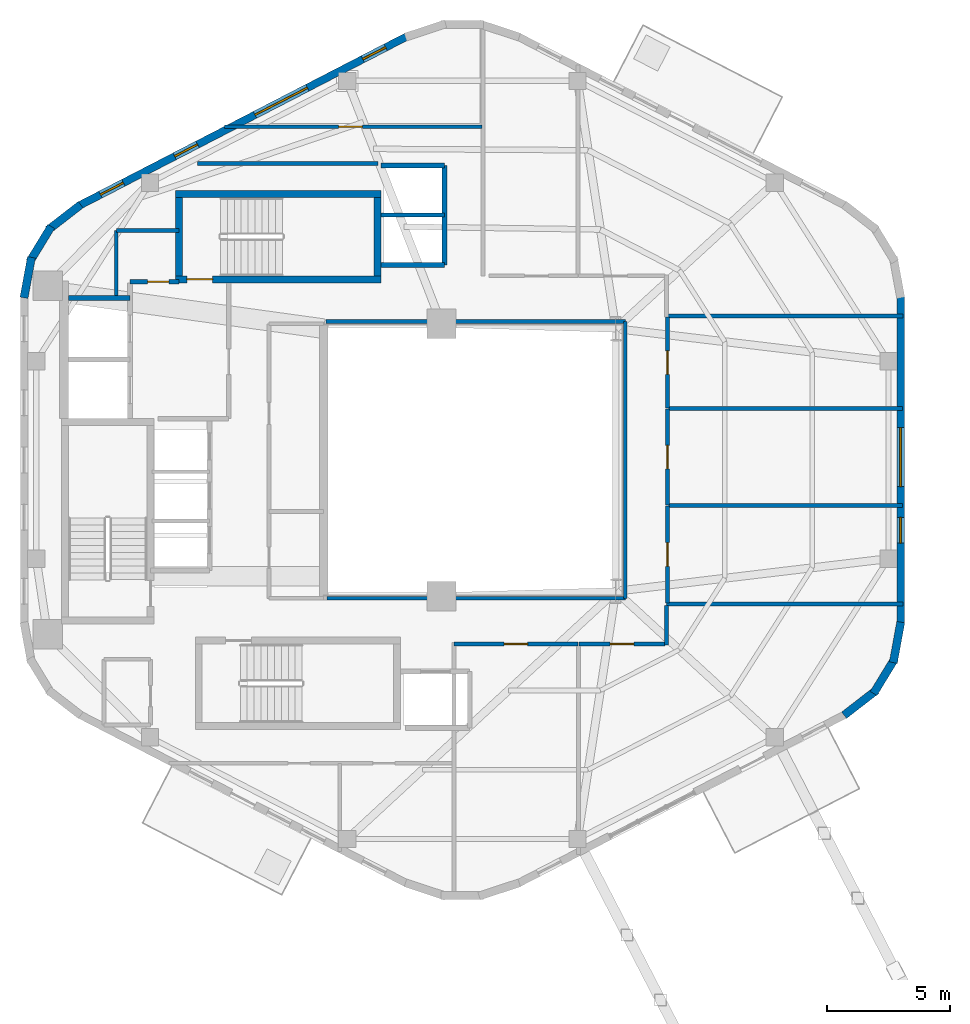
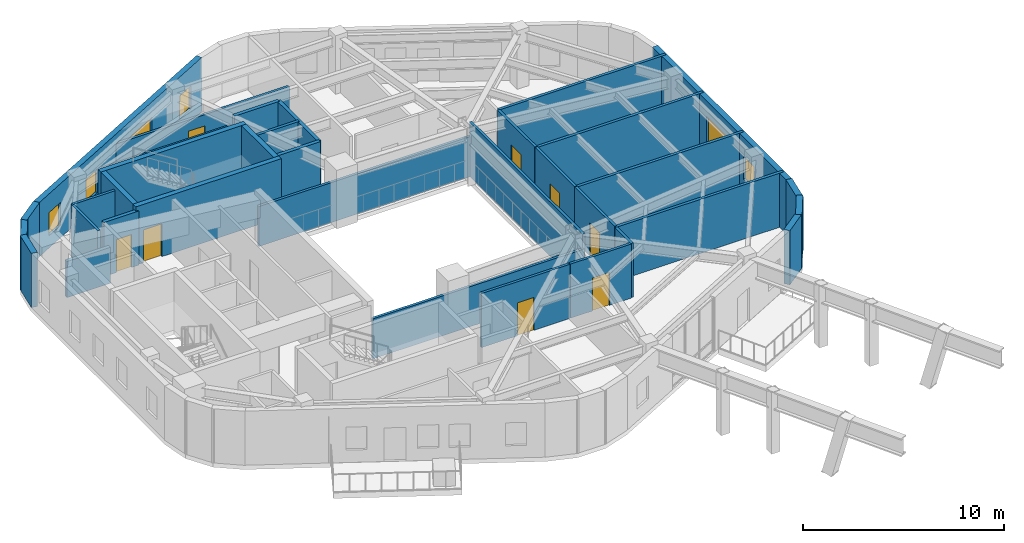
# One storey, part 7 of 10: 35 walls, 8 doors, 6 windows, 14 openings.
"""IFC4 building model written with IfcOpenShell, lengths in metres."""

import ifcopenshell
import ifcopenshell.guid

model = None  # the IFC model being written
_history = None  # IfcOwnerHistory: only IFC2X3 demands one
_inside = {}  # id of a spatial element -> (the spatial element, [elements in it])
_under = {}  # id of a project, library or spatial element -> (it, [spatial elements below it])
_declared = {}  # id of a project -> (the project, [libraries it declares])
_typed = {}  # id of a type object -> (the type object, [elements of that type])
_made_of = {}  # id of a material, layer set ... -> (it, [elements and type objects made of it])


def new_model(schema):
    """Start an empty IFC model of exactly this schema.

    Asked for "IFC4X3", IfcOpenShell would pick the latest addendum, in which some entities
    have other attributes; the version numbers below select the first issue.
    IFC2X3 requires an IfcOwnerHistory on every rooted entity: one is made here for all.
    """
    global model, _history
    if schema == "IFC4X3":
        model = ifcopenshell.file(schema_version=(4, 3, 0, 0))
    else:
        model = ifcopenshell.file(schema=schema)
    _inside.clear()
    _under.clear()
    _declared.clear()
    _typed.clear()
    _made_of.clear()
    _history = None
    if model.schema == "IFC2X3":
        org = make("IfcOrganization", Name="unknown")
        user = make(
            "IfcPersonAndOrganization",
            ThePerson=make("IfcPerson", FamilyName="unknown"),
            TheOrganization=org,
        )
        app = make(
            "IfcApplication",
            ApplicationDeveloper=org,
            Version="unknown",
            ApplicationFullName="unknown",
            ApplicationIdentifier="unknown",
        )
        _history = make(
            "IfcOwnerHistory",
            OwningUser=user,
            OwningApplication=app,
            ChangeAction="ADDED",
            CreationDate=0,
        )
    return model


def make(cls, **values):
    """One entity of the class cls with the attributes given. An attribute that is None is left unset."""
    return model.create_entity(
        cls, **{name: value for name, value in values.items() if value is not None}
    )


def rooted(cls, **values):
    """An entity with a GlobalId (a new one), such as an element, a storey or a relation."""
    return make(cls, GlobalId=ifcopenshell.guid.new(), OwnerHistory=_history, **values)


def si_unit(unit_type, name, prefix=None):
    """IfcSIUnit, for example si_unit("LENGTHUNIT", "METRE", prefix="MILLI")."""
    return make("IfcSIUnit", UnitType=unit_type, Prefix=prefix, Name=name)


def assignment(units):
    """IfcUnitAssignment: the units of a project."""
    return None if units is None else make("IfcUnitAssignment", Units=units)


def point(xyz):
    """IfcCartesianPoint."""
    return None if xyz is None else make("IfcCartesianPoint", Coordinates=xyz)


def direction(xyz):
    """IfcDirection."""
    return None if xyz is None else make("IfcDirection", DirectionRatios=xyz)


def frame(location, z_axis=None, x_axis=None):
    """IfcAxis2Placement3D, a coordinate frame: its origin and axes. An axis left out is left unset."""
    return make(
        "IfcAxis2Placement3D",
        Location=point(location),
        Axis=direction(z_axis),
        RefDirection=direction(x_axis),
    )


def frame_2d(location, x_axis=None):
    """IfcAxis2Placement2D, a coordinate frame in the plane: its origin and x axis."""
    return make(
        "IfcAxis2Placement2D", Location=point(location), RefDirection=direction(x_axis)
    )


def origin():
    """The frame at (0, 0, 0) with its axes left unset."""
    return frame((0.0, 0.0, 0.0))


def place(relative_to, where):
    """IfcLocalPlacement: puts the frame where relative to a parent placement (None: the world)."""
    return make(
        "IfcLocalPlacement", PlacementRelTo=relative_to, RelativePlacement=where
    )


def context(
    kind, dimensions, precision=None, world=None, true_north=None, identifier=None
):
    """IfcGeometricRepresentationContext, for example the 3D "Model" context."""
    return make(
        "IfcGeometricRepresentationContext",
        ContextIdentifier=identifier,
        ContextType=kind,
        CoordinateSpaceDimension=dimensions,
        Precision=precision,
        WorldCoordinateSystem=world,
        TrueNorth=true_north,
    )


def subcontext(parent, identifier, kind, view, scale=None):
    """IfcGeometricRepresentationSubContext, for example "Body" below "Model"."""
    return make(
        "IfcGeometricRepresentationSubContext",
        ContextIdentifier=identifier,
        ContextType=kind,
        ParentContext=parent,
        TargetScale=scale,
        TargetView=view,
    )


def project(units=None, contexts=None):
    """IfcProject with its units and contexts."""
    return rooted(
        "IfcProject",
        Name="project",
        RepresentationContexts=contexts,
        UnitsInContext=assignment(units),
    )


def spatial(cls, under=None, at=None, **own):
    """A site, building, storey or space (cls), placed at a placement, below another one or the project."""
    s = rooted(cls, ObjectPlacement=at, **own)
    if under is not None:
        _under.setdefault(under.id(), (under, []))[1].append(s)
    return s


def profile(cls, at=None, kind="AREA", **sizes):
    """A parametric profile (cls). Its sizes go by their IFC names, for example OverallWidth=200.0."""
    return make(cls, ProfileType=kind, Position=at, **sizes)


def rectangle(**sizes):
    """IfcRectangleProfileDef."""
    return profile("IfcRectangleProfileDef", **sizes)


def extrude(swept, where, along, depth):
    """IfcExtrudedAreaSolid: the profile swept, set in the frame where, extruded along a direction by depth."""
    return make(
        "IfcExtrudedAreaSolid",
        SweptArea=swept,
        Position=where,
        ExtrudedDirection=direction(along),
        Depth=depth,
    )


def shape(context_of_items, identifier, shape_type, items):
    """IfcShapeRepresentation: the items that make up one representation, for example the "Body"."""
    return make(
        "IfcShapeRepresentation",
        ContextOfItems=context_of_items,
        RepresentationIdentifier=identifier,
        RepresentationType=shape_type,
        Items=items,
    )


def material(Name=None, Category=None):
    """IfcMaterial."""
    return make("IfcMaterial", Name=Name, Category=Category)


def layer(
    of_material, thickness, ventilated=None, Name=None, Category=None, Priority=None
):
    """IfcMaterialLayer: one layer of a wall or slab, of a material (None: an air gap)."""
    return make(
        "IfcMaterialLayer",
        Material=of_material,
        LayerThickness=thickness,
        IsVentilated=ventilated,
        Name=Name,
        Category=Category,
        Priority=Priority,
    )


def layer_set(layers, Name=None):
    """IfcMaterialLayerSet."""
    return make("IfcMaterialLayerSet", MaterialLayers=layers, LayerSetName=Name)


def made_of(thing, what):
    """Note that an element or type object is made of a material, layer set ...; save() writes the relation."""
    if what is not None:
        _made_of.setdefault(what.id(), (what, []))[1].append(thing)
    return thing


def type_object(cls, material=None, **own):
    """A type object (cls), such as IfcWallType, which elements share."""
    return made_of(rooted(cls, **own), material)


def element(
    cls,
    number,
    at=None,
    inside=None,
    cuts=None,
    type_object=None,
    material=None,
    context=None,
    identifier="Body",
    shape_type=None,
    held_by="IfcProductDefinitionShape",
    body=None,
    shapes=None,
    **own,
):
    """One element of the class cls, such as IfcWall. Its Tag is "e" and its number.

    at: its placement. inside: the storey or other place that contains it. cuts: it is an
    opening in that element (IfcRelVoidsElement). A single representation is given by context,
    identifier, shape_type and body (its items); several are given by shapes. held_by: the class
    of the entity that holds the representations. save() writes the other relations.
    """
    e = rooted(cls, Tag="e%d" % number, ObjectPlacement=at, **own)
    if body is not None:
        shapes = [shape(context, identifier, shape_type, body)]
    if shapes is not None:
        e.Representation = make(held_by, Representations=shapes)
    if inside is not None:
        _inside.setdefault(inside.id(), (inside, []))[1].append(e)
    if cuts is not None:
        rooted(
            "IfcRelVoidsElement", RelatingBuildingElement=cuts, RelatedOpeningElement=e
        )
    if type_object is not None:
        _typed.setdefault(type_object.id(), (type_object, []))[1].append(e)
    return made_of(e, material)


def fill(opening, filler):
    """IfcRelFillsElement: the door or window that sits in an opening."""
    return rooted(
        "IfcRelFillsElement",
        RelatingOpeningElement=opening,
        RelatedBuildingElement=filler,
    )


def aggregate(whole, parts):
    """IfcRelAggregates: a whole, such as a stair, and the parts it consists of."""
    return rooted("IfcRelAggregates", RelatingObject=whole, RelatedObjects=parts)


def save(model, path):
    """Write the relations noted so far, then the file.

    IfcRelAggregates (storeys below a building ...), IfcRelContainedInSpatialStructure (elements
    in a storey), IfcRelDefinesByType, IfcRelAssociatesMaterial and IfcRelDeclares: one each for
    every whole, place, type object, material and project.
    """
    for whole, parts in _under.values():
        aggregate(whole, parts)
    for where, things in _inside.values():
        rooted(
            "IfcRelContainedInSpatialStructure",
            RelatedElements=things,
            RelatingStructure=where,
        )
    for kind, things in _typed.values():
        rooted("IfcRelDefinesByType", RelatedObjects=things, RelatingType=kind)
    for what, things in _made_of.values():
        rooted("IfcRelAssociatesMaterial", RelatedObjects=things, RelatingMaterial=what)
    for by, libraries in _declared.values():
        rooted("IfcRelDeclares", RelatingContext=by, RelatedDefinitions=libraries)
    model.write(path)


model = new_model("IFC4")

# Units and contexts
model_context = context("Model", 3, precision=1e-05, world=origin(), true_north=direction((0.0, 1.0)))
body_context = subcontext(model_context, "Body", "Model", "MODEL_VIEW")
ifc_project = project(units=[si_unit("LENGTHUNIT", "METRE"), si_unit("AREAUNIT", "SQUARE_METRE"), si_unit("VOLUMEUNIT", "CUBIC_METRE"), si_unit("PLANEANGLEUNIT", "RADIAN"), si_unit("MASSUNIT", "GRAM", prefix="KILO"), si_unit("THERMODYNAMICTEMPERATUREUNIT", "KELVIN"), si_unit("POWERUNIT", "WATT")], contexts=[model_context])

# Site, building, storey
site_placement = place(None, origin())
site = spatial("IfcSite", under=ifc_project, at=site_placement, CompositionType="ELEMENT")
building_placement = place(site_placement, origin())
building = spatial("IfcBuilding", under=site, at=building_placement, Name="Skarre Station Tower", CompositionType="ELEMENT")
storey_placement = place(building_placement, frame((0.0, 0.0, 227.699951171875)))
storey = spatial("IfcBuildingStorey", under=building, at=storey_placement, Name="L62", CompositionType="ELEMENT", Elevation=227.699951171875)

# Walls
ifc_material_1 = material(Name="Acoustic Steel-Stud Gypsum Partition", Category="steel")
ifc_layer_1 = layer(ifc_material_1, 0.14990234375, Name="Acoustic Steel-Stud Gypsum Partition")
ifc_layer_set_1 = layer_set([ifc_layer_1], Name="Acoustic Steel-Stud Gypsum Partition")
wall_type_1 = type_object("IfcWallType", Name="Fire-Rated Corridor Acoustic Partition 150", PredefinedType="PARTITIONING", material=ifc_layer_set_1)
wall_1_placement = place(storey_placement, frame((19.10009765625, 33.35009765625, 0.0), z_axis=(0.0, 0.0, 1.0), x_axis=(0.0, -1.0, 0.0)))
element("IfcWall", 1, at=wall_1_placement, inside=storey, type_object=wall_type_1, Name="L62 Interior Partition WL-PT-L62-CNW-W", PredefinedType="PARTITIONING", context=body_context, shape_type="SweptSolid", body=[
    extrude(rectangle(XDim=2.655029296875, YDim=0.14990234375, at=frame_2d((1.32763671875, 0.0))), origin(), (0.0, 0.0, 1.0), 3.2900390625),
])
wall_2_placement = place(storey_placement, frame((21.659912109375, 33.35009765625, 0.0), z_axis=(0.0, 0.0, 1.0), x_axis=(-1.0, 0.0, 0.0)))
element("IfcWall", 2, at=wall_2_placement, inside=storey, type_object=wall_type_1, Name="L62 Interior Partition WL-PT-L62-CNW-N1", PredefinedType="PARTITIONING", context=body_context, shape_type="SweptSolid", body=[
    extrude(rectangle(XDim=2.559814453125, YDim=0.14990234375, at=frame_2d((1.27978515625, 0.0))), origin(), (0.0, 0.0, 1.0), 3.2900390625),
])
wall_3_placement = place(storey_placement, frame((27.675048828125, 18.360107421875, 0.0), z_axis=(0.0, 0.0, 1.0), x_axis=(1.0, 0.0, 0.0)))
element("IfcWall", 3, at=wall_3_placement, inside=storey, type_object=wall_type_1, Name="L62 Interior Partition WL-PT-L62-ATRW-S", PredefinedType="PARTITIONING", context=body_context, shape_type="SweptSolid", body=[
    extrude(rectangle(XDim=12.1650390625, YDim=0.14990234375, at=frame_2d((6.08251953125, 0.0))), origin(), (0.0, 0.0, 1.0), 2.43115234375),
])
wall_4_placement = place(storey_placement, frame((39.840087890625, 29.639892578125, 0.0), z_axis=(0.0, 0.0, 1.0), x_axis=(-1.0, 0.0, 0.0)))
element("IfcWall", 4, at=wall_4_placement, inside=storey, type_object=wall_type_1, Name="L62 Interior Partition WL-PT-L62-ATRW-N", PredefinedType="PARTITIONING", context=body_context, shape_type="SweptSolid", body=[
    extrude(rectangle(XDim=12.203125, YDim=0.14990234375, at=frame_2d((6.1015625, 0.0))), origin(), (0.0, 0.0, 1.0), 2.43115234375),
])
wall_5_placement = place(storey_placement, frame((39.840087890625, 18.360107421875, 0.0), z_axis=(0.0, 0.0, 1.0), x_axis=(0.0, 1.0, 0.0)))
element("IfcWall", 5, at=wall_5_placement, inside=storey, type_object=wall_type_1, Name="L62 Interior Partition WL-PT-L62-ATRW-E", PredefinedType="PARTITIONING", context=body_context, shape_type="SweptSolid", body=[
    extrude(rectangle(XDim=11.27978515625, YDim=0.14990234375, at=frame_2d((5.639892578125, 0.0))), origin(), (0.0, 0.0, 1.0), 3.2900390625),
])

# Wall, opening, door
wall_6_placement = place(storey_placement, frame((34.0, 37.580078125, 0.0), z_axis=(0.0, 0.0, 1.0), x_axis=(-1.0, 0.0, 0.0)))
wall_6 = element("IfcWall", 6, at=wall_6_placement, inside=storey, type_object=wall_type_1, Name="L62 Interior Partition WL-PT-L62-NWW1-CW", PredefinedType="PARTITIONING", context=body_context, shape_type="SweptSolid", body=[
    extrude(rectangle(XDim=10.5009765625, YDim=0.14990234375, at=frame_2d((5.25048828125, 0.0))), origin(), (0.0, 0.0, 1.0), 2.68212890625),
])
opening_1_placement = place(wall_6_placement, frame((4.87890625, 0.0, 0.0)))
opening_1 = element("IfcOpeningElement", 7, at=opening_1_placement, cuts=wall_6, Name="Opening DR-FD60", PredefinedType="OPENING", context=body_context, shape_type="SweptSolid", body=[
    extrude(rectangle(XDim=0.9599609375, YDim=2.0, at=frame_2d((0.47998046875, 1.0))), frame((0.0, 0.0849609375, 0.0), z_axis=(0.0, -1.0, 0.0), x_axis=(1.0, 0.0, 0.0)), (0.0, 0.0, 1.0), 0.169921875),
])
ifc_material_2 = material(Name="Nordic White-Oak Veneer Solid-Core Fire Leaf", Category="wood")
door_type_1 = type_object("IfcDoorType", Name="Corridor Suite Entry Fire Door FD60 960x2150", OperationType="SINGLE_SWING_LEFT", PredefinedType="DOOR", material=ifc_material_2)
door_1_placement = place(opening_1_placement, origin())
door_1 = element("IfcDoor", 8, at=door_1_placement, inside=storey, type_object=door_type_1, Name="L62 NWW1 Entry Door", OperationType="SINGLE_SWING_LEFT", OverallHeight=2.0, OverallWidth=0.9599609375, PredefinedType="DOOR", context=body_context, shape_type="SweptSolid", body=[
    extrude(rectangle(XDim=0.9599609375, YDim=2.0, at=frame_2d((0.47998046875, 1.0))), frame((0.0, 0.02490234375, 0.0), z_axis=(0.0, -1.0, 0.0), x_axis=(1.0, 0.0, 0.0)), (0.0, 0.0, 1.0), 0.050048828125),
])
fill(opening_1, door_1)

wall_7_placement = place(storey_placement, frame((41.56005859375, 18.179931640625, 0.0), z_axis=(0.0, 0.0, 1.0), x_axis=(0.0, 1.0, 0.0)))
wall_7 = element("IfcWall", 9, at=wall_7_placement, inside=storey, type_object=wall_type_1, Name="L62 Interior Partition WL-PT-L62-EW1-CW", PredefinedType="PARTITIONING", context=body_context, shape_type="SweptSolid", body=[
    extrude(rectangle(XDim=3.940185546875, YDim=0.14990234375, at=frame_2d((1.97021484375, 0.0))), origin(), (0.0, 0.0, 1.0), 3.2900390625),
])
opening_2_placement = place(wall_7_placement, frame((1.489990234375, 0.0, 0.0)))
opening_2 = element("IfcOpeningElement", 10, at=opening_2_placement, cuts=wall_7, Name="Opening DR-FD60", PredefinedType="OPENING", context=body_context, shape_type="SweptSolid", body=[
    extrude(rectangle(XDim=0.9599609375, YDim=2.0, at=frame_2d((0.47998046875, 1.0))), frame((0.0, 0.0849609375, 0.0), z_axis=(0.0, -1.0, 0.0), x_axis=(1.0, 0.0, 0.0)), (0.0, 0.0, 1.0), 0.169921875),
])
door_2_placement = place(opening_2_placement, origin())
door_2 = element("IfcDoor", 11, at=door_2_placement, inside=storey, type_object=door_type_1, Name="L62 EW1 Entry Door", OperationType="SINGLE_SWING_LEFT", OverallHeight=2.0, OverallWidth=0.9599609375, PredefinedType="DOOR", context=body_context, shape_type="SweptSolid", body=[
    extrude(rectangle(XDim=0.9599609375, YDim=2.0, at=frame_2d((0.47998046875, 1.0))), frame((0.0, 0.02490234375, 0.0), z_axis=(0.0, -1.0, 0.0), x_axis=(1.0, 0.0, 0.0)), (0.0, 0.0, 1.0), 0.050048828125),
])
fill(opening_2, door_2)

wall_8_placement = place(storey_placement, frame((41.56005859375, 22.156005859375, 0.0), z_axis=(0.0, 0.0, 1.0), x_axis=(0.0, 1.0, 0.0)))
wall_8 = element("IfcWall", 12, at=wall_8_placement, inside=storey, type_object=wall_type_1, Name="L62 Interior Partition WL-PT-L62-EW2-CW", PredefinedType="PARTITIONING", context=body_context, shape_type="SweptSolid", body=[
    extrude(rectangle(XDim=3.9208984375, YDim=0.14990234375, at=frame_2d((1.96044921875, 0.0))), origin(), (0.0, 0.0, 1.0), 3.2900390625),
])
opening_3_placement = place(wall_8_placement, frame((1.48095703125, 0.0, 0.0)))
opening_3 = element("IfcOpeningElement", 13, at=opening_3_placement, cuts=wall_8, Name="Opening DR-FD60", PredefinedType="OPENING", context=body_context, shape_type="SweptSolid", body=[
    extrude(rectangle(XDim=0.9599609375, YDim=2.0, at=frame_2d((0.47998046875, 1.0))), frame((0.0, 0.0849609375, 0.0), z_axis=(0.0, -1.0, 0.0), x_axis=(1.0, 0.0, 0.0)), (0.0, 0.0, 1.0), 0.169921875),
])
door_3_placement = place(opening_3_placement, origin())
door_3 = element("IfcDoor", 14, at=door_3_placement, inside=storey, type_object=door_type_1, Name="L62 EW2 Entry Door", OperationType="SINGLE_SWING_LEFT", OverallHeight=2.0, OverallWidth=0.9599609375, PredefinedType="DOOR", context=body_context, shape_type="SweptSolid", body=[
    extrude(rectangle(XDim=0.9599609375, YDim=2.0, at=frame_2d((0.47998046875, 1.0))), frame((0.0, 0.02490234375, 0.0), z_axis=(0.0, -1.0, 0.0), x_axis=(1.0, 0.0, 0.0)), (0.0, 0.0, 1.0), 0.050048828125),
])
fill(opening_3, door_3)

wall_9_placement = place(storey_placement, frame((41.56005859375, 26.113037109375, 0.0), z_axis=(0.0, 0.0, 1.0), x_axis=(0.0, 1.0, 0.0)))
wall_9 = element("IfcWall", 15, at=wall_9_placement, inside=storey, type_object=wall_type_1, Name="L62 Interior Partition WL-PT-L62-EW3-CW", PredefinedType="PARTITIONING", context=body_context, shape_type="SweptSolid", body=[
    extrude(rectangle(XDim=3.70703125, YDim=0.14990234375, at=frame_2d((1.853515625, 0.0))), origin(), (0.0, 0.0, 1.0), 3.2900390625),
])
opening_4_placement = place(wall_9_placement, frame((1.3740234375, 0.0, 0.0)))
opening_4 = element("IfcOpeningElement", 16, at=opening_4_placement, cuts=wall_9, Name="Opening DR-FD60", PredefinedType="OPENING", context=body_context, shape_type="SweptSolid", body=[
    extrude(rectangle(XDim=0.9599609375, YDim=2.0, at=frame_2d((0.47998046875, 1.0))), frame((0.0, 0.0849609375, 0.0), z_axis=(0.0, -1.0, 0.0), x_axis=(1.0, 0.0, 0.0)), (0.0, 0.0, 1.0), 0.169921875),
])
door_4_placement = place(opening_4_placement, origin())
door_4 = element("IfcDoor", 17, at=door_4_placement, inside=storey, type_object=door_type_1, Name="L62 EW3 Entry Door", OperationType="SINGLE_SWING_LEFT", OverallHeight=2.0, OverallWidth=0.9599609375, PredefinedType="DOOR", context=body_context, shape_type="SweptSolid", body=[
    extrude(rectangle(XDim=0.9599609375, YDim=2.0, at=frame_2d((0.47998046875, 1.0))), frame((0.0, 0.02490234375, 0.0), z_axis=(0.0, -1.0, 0.0), x_axis=(1.0, 0.0, 0.0)), (0.0, 0.0, 1.0), 0.050048828125),
])
fill(opening_4, door_4)

# Wall
wall_10_placement = place(storey_placement, frame((41.52001953125, 16.4599609375, 0.0), z_axis=(0.0, 0.0, 1.0), x_axis=(0.0, 1.0, 0.0)))
element("IfcWall", 18, at=wall_10_placement, inside=storey, type_object=wall_type_1, Name="L62 Interior Partition WL-PT-L62-CORR-SER", PredefinedType="PARTITIONING", context=body_context, shape_type="SweptSolid", body=[
    extrude(rectangle(XDim=1.60205078125, YDim=0.14990234375, at=frame_2d((0.801025390625, 0.0))), origin(), (0.0, 0.0, 1.0), 3.2900390625),
])

# Wall, opening, door
wall_11_placement = place(storey_placement, frame((32.85009765625, 16.5, 0.0), z_axis=(0.0, 0.0, 1.0), x_axis=(1.0, 0.0, 0.0)))
wall_11 = element("IfcWall", 19, at=wall_11_placement, inside=storey, type_object=wall_type_1, Name="L62 Interior Partition WL-PT-L62-SW1-CW", PredefinedType="PARTITIONING", context=body_context, shape_type="SweptSolid", body=[
    extrude(rectangle(XDim=5.060791015625, YDim=0.14990234375, at=frame_2d((2.5302734375, 0.0))), origin(), (0.0, 0.0, 1.0), 3.2900390625),
])
opening_5_placement = place(wall_11_placement, frame((2.051025390625, 0.0, 0.0)))
opening_5 = element("IfcOpeningElement", 20, at=opening_5_placement, cuts=wall_11, Name="Opening DR-FD60", PredefinedType="OPENING", context=body_context, shape_type="SweptSolid", body=[
    extrude(rectangle(XDim=0.9599609375, YDim=2.0, at=frame_2d((0.47998046875, 1.0))), frame((0.0, 0.0849609375, 0.0), z_axis=(0.0, -1.0, 0.0), x_axis=(1.0, 0.0, 0.0)), (0.0, 0.0, 1.0), 0.169921875),
])
door_5_placement = place(opening_5_placement, origin())
door_5 = element("IfcDoor", 21, at=door_5_placement, inside=storey, type_object=door_type_1, Name="L62 SW1 Entry Door", OperationType="SINGLE_SWING_LEFT", OverallHeight=2.0, OverallWidth=0.9599609375, PredefinedType="DOOR", context=body_context, shape_type="SweptSolid", body=[
    extrude(rectangle(XDim=0.9599609375, YDim=2.0, at=frame_2d((0.47998046875, 1.0))), frame((0.0, 0.02490234375, 0.0), z_axis=(0.0, -1.0, 0.0), x_axis=(1.0, 0.0, 0.0)), (0.0, 0.0, 1.0), 0.050048828125),
])
fill(opening_5, door_5)

wall_12_placement = place(storey_placement, frame((37.947021484375, 16.5, 0.0), z_axis=(0.0, 0.0, 1.0), x_axis=(1.0, 0.0, 0.0)))
wall_12 = element("IfcWall", 22, at=wall_12_placement, inside=storey, type_object=wall_type_1, Name="L62 Interior Partition WL-PT-L62-SW2-CW", PredefinedType="PARTITIONING", context=body_context, shape_type="SweptSolid", body=[
    extrude(rectangle(XDim=3.512939453125, YDim=0.14990234375, at=frame_2d((1.75634765625, 0.0))), origin(), (0.0, 0.0, 1.0), 3.2900390625),
])
opening_6_placement = place(wall_12_placement, frame((1.277099609375, 0.0, 0.0)))
opening_6 = element("IfcOpeningElement", 23, at=opening_6_placement, cuts=wall_12, Name="Opening DR-FD60", PredefinedType="OPENING", context=body_context, shape_type="SweptSolid", body=[
    extrude(rectangle(XDim=0.9599609375, YDim=2.0, at=frame_2d((0.47998046875, 1.0))), frame((0.0, 0.0849609375, 0.0), z_axis=(0.0, -1.0, 0.0), x_axis=(1.0, 0.0, 0.0)), (0.0, 0.0, 1.0), 0.169921875),
])
door_6_placement = place(opening_6_placement, origin())
door_6 = element("IfcDoor", 24, at=door_6_placement, inside=storey, type_object=door_type_1, Name="L62 SW2 Entry Door", OperationType="SINGLE_SWING_LEFT", OverallHeight=2.0, OverallWidth=0.9599609375, PredefinedType="DOOR", context=body_context, shape_type="SweptSolid", body=[
    extrude(rectangle(XDim=0.9599609375, YDim=2.0, at=frame_2d((0.47998046875, 1.0))), frame((0.0, 0.02490234375, 0.0), z_axis=(0.0, -1.0, 0.0), x_axis=(1.0, 0.0, 0.0)), (0.0, 0.0, 1.0), 0.050048828125),
])
fill(opening_6, door_6)

# Walls
wall_13_placement = place(storey_placement, frame((29.7529296875, 36.080078125, 0.0), z_axis=(0.0, 0.0, 1.0), x_axis=(-1.0, 0.0, 0.0)))
element("IfcWall", 25, at=wall_13_placement, inside=storey, type_object=wall_type_1, Name="L62 Interior Partition WL-PT-L62-CSEAL-1", PredefinedType="PARTITIONING", context=body_context, shape_type="SweptSolid", body=[
    extrude(rectangle(XDim=7.35302734375, YDim=0.14990234375, at=frame_2d((3.676513671875, 0.0))), origin(), (0.0, 0.0, 1.0), 2.68212890625),
])
ifc_material_3 = material(Name="Precast concrete C45/55", Category="concrete")
ifc_layer_2 = layer(ifc_material_3, 0.330078125, Name="Precast concrete C45/55")
ifc_layer_set_2 = layer_set([ifc_layer_2], Name="Precast concrete C45/55")
wall_type_2 = type_object("IfcWallType", Name="Nordic Rounded Corner Precast Wall 330", PredefinedType="STANDARD", material=ifc_layer_set_2)
wall_14_placement = place(storey_placement, frame((15.337890625, 30.60791015625, 0.0), z_axis=(0.0, 0.0, 1.0), x_axis=(0.180832605401, 0.983513888475, 0.0)))
element("IfcWall", 26, at=wall_14_placement, inside=storey, type_object=wall_type_2, Name="L62 Rounded Corner Precast Wall F2-1", PredefinedType="STANDARD", context=body_context, shape_type="SweptSolid", body=[
    extrude(rectangle(XDim=1.6767578125, YDim=0.330078125, at=frame_2d((0.83837890625, 0.0))), origin(), (0.0, 0.0, 1.0), 3.2900390625),
])
wall_15_placement = place(storey_placement, frame((15.573974609375, 32.08203125, 0.0), z_axis=(0.0, 0.0, 1.0), x_axis=(0.520325409202, 0.853968072318, 0.0)))
element("IfcWall", 27, at=wall_15_placement, inside=storey, type_object=wall_type_2, Name="L62 Rounded Corner Precast Wall F2-2", PredefinedType="STANDARD", context=body_context, shape_type="SweptSolid", body=[
    extrude(rectangle(XDim=1.677978515625, YDim=0.330078125, at=frame_2d((0.8388671875, 0.0))), origin(), (0.0, 0.0, 1.0), 3.2900390625),
])
wall_16_placement = place(storey_placement, frame((16.322021484375, 33.375, 0.0), z_axis=(0.0, 0.0, 1.0), x_axis=(0.790691856293, 0.61221433207, 0.0)))
element("IfcWall", 28, at=wall_16_placement, inside=storey, type_object=wall_type_2, Name="L62 Rounded Corner Precast Wall F2-3", PredefinedType="STANDARD", context=body_context, shape_type="SweptSolid", body=[
    extrude(rectangle(XDim=1.67578125, YDim=0.330078125, at=frame_2d((0.837890625, 0.0))), origin(), (0.0, 0.0, 1.0), 3.2900390625),
])
wall_17_placement = place(storey_placement, frame((51.06201171875, 17.39208984375, 0.0), z_axis=(0.0, 0.0, 1.0), x_axis=(-0.180691763044, -0.983539773862, 0.0)))
element("IfcWall", 29, at=wall_17_placement, inside=storey, type_object=wall_type_2, Name="L62 Rounded Corner Precast Wall F5-1", PredefinedType="STANDARD", context=body_context, shape_type="SweptSolid", body=[
    extrude(rectangle(XDim=1.6767578125, YDim=0.330078125, at=frame_2d((0.83837890625, 0.0))), origin(), (0.0, 0.0, 1.0), 3.2900390625),
])
wall_18_placement = place(storey_placement, frame((50.825927734375, 15.91796875, 0.0), z_axis=(0.0, 0.0, 1.0), x_axis=(-0.520325409202, -0.853968072318, 0.0)))
element("IfcWall", 30, at=wall_18_placement, inside=storey, type_object=wall_type_2, Name="L62 Rounded Corner Precast Wall F5-2", PredefinedType="STANDARD", context=body_context, shape_type="SweptSolid", body=[
    extrude(rectangle(XDim=1.677978515625, YDim=0.330078125, at=frame_2d((0.8388671875, 0.0))), origin(), (0.0, 0.0, 1.0), 3.2900390625),
])
wall_19_placement = place(storey_placement, frame((50.077880859375, 14.625, 0.0), z_axis=(0.0, 0.0, 1.0), x_axis=(-0.790691856293, -0.61221433207, 0.0)))
element("IfcWall", 31, at=wall_19_placement, inside=storey, type_object=wall_type_2, Name="L62 Rounded Corner Precast Wall F5-3", PredefinedType="STANDARD", context=body_context, shape_type="SweptSolid", body=[
    extrude(rectangle(XDim=1.67578125, YDim=0.330078125, at=frame_2d((0.837890625, 0.0))), origin(), (0.0, 0.0, 1.0), 3.2900390625),
])

# Wall, openings, windows
ifc_layer_3 = layer(ifc_material_3, 0.31005859375, Name="Precast concrete C45/55")
ifc_layer_set_3 = layer_set([ifc_layer_3], Name="Precast concrete C45/55")
wall_type_3 = type_object("IfcWallType", Name="Nordic Upper-Zone Precast Facet Wall 310", PredefinedType="STANDARD", material=ifc_layer_set_3)
wall_20_placement = place(storey_placement, frame((17.56591796875, 34.35400390625, 0.0), z_axis=(0.0, 0.0, 1.0), x_axis=(0.888581481622, 0.458718814218, 0.0)))
wall_20 = element("IfcWall", 32, at=wall_20_placement, inside=storey, type_object=wall_type_3, Name="L62 Facet 1 Nordic Precast Masonry Wall", PredefinedType="STANDARD", context=body_context, shape_type="SweptSolid", body=[
    extrude(rectangle(XDim=15.076904296875, YDim=0.31005859375, at=frame_2d((7.53857421875, 0.0))), origin(), (0.0, 0.0, 1.0), 3.2900390625),
])
opening_7_placement = place(wall_20_placement, frame((0.998046875, 0.0, 0.75)))
opening_7 = element("IfcOpeningElement", 33, at=opening_7_placement, cuts=wall_20, Name="Opening WN-SLT", PredefinedType="OPENING", context=body_context, shape_type="SweptSolid", body=[
    extrude(rectangle(XDim=1.050048828125, YDim=1.39990234375, at=frame_2d((0.52490234375, 0.699951171875))), frame((0.0, 0.1650390625, 0.0), z_axis=(0.0, -1.0, 0.0), x_axis=(1.0, 0.0, 0.0)), (0.0, 0.0, 1.0), 0.330078125),
])
opening_8_placement = place(wall_20_placement, frame((4.403076171875, 0.0, 0.75)))
opening_8 = element("IfcOpeningElement", 34, at=opening_8_placement, cuts=wall_20, Name="Opening WN-SLT", PredefinedType="OPENING", context=body_context, shape_type="SweptSolid", body=[
    extrude(rectangle(XDim=1.050048828125, YDim=1.39990234375, at=frame_2d((0.52490234375, 0.699951171875))), frame((0.0, 0.1650390625, 0.0), z_axis=(0.0, -1.0, 0.0), x_axis=(1.0, 0.0, 0.0)), (0.0, 0.0, 1.0), 0.330078125),
])
opening_9_placement = place(wall_20_placement, frame((8.0859375, 0.0, 0.75)))
opening_9 = element("IfcOpeningElement", 35, at=opening_9_placement, cuts=wall_20, Name="Opening WN-Z4A", PredefinedType="OPENING", context=body_context, shape_type="SweptSolid", body=[
    extrude(rectangle(XDim=2.39990234375, YDim=1.60009765625, at=frame_2d((1.199951171875, 0.800048828125))), frame((0.0, 0.1650390625, 0.0), z_axis=(0.0, -1.0, 0.0), x_axis=(1.0, 0.0, 0.0)), (0.0, 0.0, 1.0), 0.330078125),
])
opening_10_placement = place(wall_20_placement, frame((13.029052734375, 0.0, 0.75)))
opening_10 = element("IfcOpeningElement", 36, at=opening_10_placement, cuts=wall_20, Name="Opening WN-SLT", PredefinedType="OPENING", context=body_context, shape_type="SweptSolid", body=[
    extrude(rectangle(XDim=1.050048828125, YDim=1.39990234375, at=frame_2d((0.52490234375, 0.699951171875))), frame((0.0, 0.1650390625, 0.0), z_axis=(0.0, -1.0, 0.0), x_axis=(1.0, 0.0, 0.0)), (0.0, 0.0, 1.0), 0.330078125),
])
ifc_material_4 = material(Name="Low-Iron Triple Glazing with Bronze Anodized Frame", Category="glass")
window_type_1 = type_object("IfcWindowType", Name="Nordic Corner Slot Window 1050x1400", PartitioningType="SINGLE_PANEL", PredefinedType="WINDOW", material=ifc_material_4)
window_1_placement = place(opening_7_placement, origin())
window_1 = element("IfcWindow", 37, at=window_1_placement, inside=storey, type_object=window_type_1, Name="L62 Facade Window WL-FAC-L62-F1-1", OverallHeight=1.39990234375, OverallWidth=1.050048828125, PartitioningType="SINGLE_PANEL", PredefinedType="WINDOW", context=body_context, shape_type="SweptSolid", body=[
    extrude(rectangle(XDim=1.050048828125, YDim=1.39990234375, at=frame_2d((0.52490234375, 0.699951171875))), frame((0.0, 0.030029296875, 0.0), z_axis=(0.0, -1.0, 0.0), x_axis=(1.0, 0.0, 0.0)), (0.0, 0.0, 1.0), 0.06005859375),
])
fill(opening_7, window_1)
window_2_placement = place(opening_8_placement, origin())
window_2 = element("IfcWindow", 38, at=window_2_placement, inside=storey, type_object=window_type_1, Name="L62 Facade Window WL-FAC-L62-F1-2", OverallHeight=1.39990234375, OverallWidth=1.050048828125, PartitioningType="SINGLE_PANEL", PredefinedType="WINDOW", context=body_context, shape_type="SweptSolid", body=[
    extrude(rectangle(XDim=1.050048828125, YDim=1.39990234375, at=frame_2d((0.52490234375, 0.699951171875))), frame((0.0, 0.030029296875, 0.0), z_axis=(0.0, -1.0, 0.0), x_axis=(1.0, 0.0, 0.0)), (0.0, 0.0, 1.0), 0.06005859375),
])
fill(opening_8, window_2)
window_3_placement = place(opening_10_placement, origin())
window_3 = element("IfcWindow", 39, at=window_3_placement, inside=storey, type_object=window_type_1, Name="L62 Facade Window WL-FAC-L62-F1-4", OverallHeight=1.39990234375, OverallWidth=1.050048828125, PartitioningType="SINGLE_PANEL", PredefinedType="WINDOW", context=body_context, shape_type="SweptSolid", body=[
    extrude(rectangle(XDim=1.050048828125, YDim=1.39990234375, at=frame_2d((0.52490234375, 0.699951171875))), frame((0.0, 0.030029296875, 0.0), z_axis=(0.0, -1.0, 0.0), x_axis=(1.0, 0.0, 0.0)), (0.0, 0.0, 1.0), 0.06005859375),
])
fill(opening_10, window_3)
window_type_2 = type_object("IfcWindowType", Name="Nordic Crown Panorama Window 2400x1600", PartitioningType="SINGLE_PANEL", PredefinedType="WINDOW", material=ifc_material_4)
window_4_placement = place(opening_9_placement, origin())
window_4 = element("IfcWindow", 40, at=window_4_placement, inside=storey, type_object=window_type_2, Name="L62 Facade Window WL-FAC-L62-F1-3", OverallHeight=1.60009765625, OverallWidth=2.39990234375, PartitioningType="SINGLE_PANEL", PredefinedType="WINDOW", context=body_context, shape_type="SweptSolid", body=[
    extrude(rectangle(XDim=2.39990234375, YDim=1.60009765625, at=frame_2d((1.199951171875, 0.800048828125))), frame((0.0, 0.030029296875, 0.0), z_axis=(0.0, -1.0, 0.0), x_axis=(1.0, 0.0, 0.0)), (0.0, 0.0, 1.0), 0.06005859375),
])
fill(opening_9, window_4)

wall_21_placement = place(storey_placement, frame((51.05810546875, 30.701904296875, 0.0), z_axis=(0.0, 0.0, 1.0), x_axis=(0.0, -1.0, 0.0)))
wall_21 = element("IfcWall", 41, at=wall_21_placement, inside=storey, type_object=wall_type_3, Name="L62 Facet 5 Nordic Precast Masonry Wall", PredefinedType="STANDARD", context=body_context, shape_type="SweptSolid", body=[
    extrude(rectangle(XDim=13.40380859375, YDim=0.31005859375, at=frame_2d((6.701904296875, 0.0))), origin(), (0.0, 0.0, 1.0), 3.2900390625),
])
opening_11_placement = place(wall_21_placement, frame((5.385986328125, 0.0, 0.75)))
opening_11 = element("IfcOpeningElement", 42, at=opening_11_placement, cuts=wall_21, Name="Opening WN-Z4A", PredefinedType="OPENING", context=body_context, shape_type="SweptSolid", body=[
    extrude(rectangle(XDim=2.39990234375, YDim=1.60009765625, at=frame_2d((1.199951171875, 0.800048828125))), frame((0.0, 0.1650390625, 0.0), z_axis=(0.0, -1.0, 0.0), x_axis=(1.0, 0.0, 0.0)), (0.0, 0.0, 1.0), 0.330078125),
])
opening_12_placement = place(wall_21_placement, frame((9.0400390625, 0.0, 0.75)))
opening_12 = element("IfcOpeningElement", 43, at=opening_12_placement, cuts=wall_21, Name="Opening WN-SLT", PredefinedType="OPENING", context=body_context, shape_type="SweptSolid", body=[
    extrude(rectangle(XDim=1.050048828125, YDim=1.39990234375, at=frame_2d((0.52490234375, 0.699951171875))), frame((0.0, 0.1650390625, 0.0), z_axis=(0.0, -1.0, 0.0), x_axis=(1.0, 0.0, 0.0)), (0.0, 0.0, 1.0), 0.330078125),
])
window_5_placement = place(opening_12_placement, origin())
window_5 = element("IfcWindow", 44, at=window_5_placement, inside=storey, type_object=window_type_1, Name="L62 Facade Window WL-FAC-L62-F5-2", OverallHeight=1.39990234375, OverallWidth=1.050048828125, PartitioningType="SINGLE_PANEL", PredefinedType="WINDOW", context=body_context, shape_type="SweptSolid", body=[
    extrude(rectangle(XDim=1.050048828125, YDim=1.39990234375, at=frame_2d((0.52490234375, 0.699951171875))), frame((0.0, 0.030029296875, 0.0), z_axis=(0.0, -1.0, 0.0), x_axis=(1.0, 0.0, 0.0)), (0.0, 0.0, 1.0), 0.06005859375),
])
fill(opening_12, window_5)
window_6_placement = place(opening_11_placement, origin())
window_6 = element("IfcWindow", 45, at=window_6_placement, inside=storey, type_object=window_type_2, Name="L62 Facade Window WL-FAC-L62-F5-1", OverallHeight=1.60009765625, OverallWidth=2.39990234375, PartitioningType="SINGLE_PANEL", PredefinedType="WINDOW", context=body_context, shape_type="SweptSolid", body=[
    extrude(rectangle(XDim=2.39990234375, YDim=1.60009765625, at=frame_2d((1.199951171875, 0.800048828125))), frame((0.0, 0.030029296875, 0.0), z_axis=(0.0, -1.0, 0.0), x_axis=(1.0, 0.0, 0.0)), (0.0, 0.0, 1.0), 0.06005859375),
])
fill(opening_11, window_6)

# Wall, opening, door
ifc_material_5 = material(Name="Concrete C50/60", Category="concrete")
ifc_layer_4 = layer(ifc_material_5, 0.280029296875, Name="Concrete C50/60")
ifc_layer_set_4 = layer_set([ifc_layer_4], Name="Concrete C50/60")
wall_type_4 = type_object("IfcWallType", Name="RC Core Shear Wall 280", PredefinedType="SHEAR", material=ifc_layer_set_4)
wall_22_placement = place(storey_placement, frame((21.52001953125, 31.360107421875, 0.0), z_axis=(0.0, 0.0, 1.0), x_axis=(1.0, 0.0, 0.0)))
wall_22 = element("IfcWall", 46, at=wall_22_placement, inside=storey, type_object=wall_type_4, Name="L62 Stair ST-3 South Shear Wall", PredefinedType="SHEAR", context=body_context, shape_type="SweptSolid", body=[
    extrude(rectangle(XDim=8.35986328125, YDim=0.280029296875, at=frame_2d((4.179931640625, 0.0))), origin(), (0.0, 0.0, 1.0), 3.550048828125),
])
opening_13_placement = place(wall_22_placement, frame((0.449951171875, 0.0, 0.0)))
opening_13 = element("IfcOpeningElement", 47, at=opening_13_placement, cuts=wall_22, Name="Opening DR-FD90", PredefinedType="OPENING", context=body_context, shape_type="SweptSolid", body=[
    extrude(rectangle(XDim=1.050048828125, YDim=2.0, at=frame_2d((0.52490234375, 1.0))), frame((0.0, 0.14990234375, 0.0), z_axis=(0.0, -1.0, 0.0), x_axis=(1.0, 0.0, 0.0)), (0.0, 0.0, 1.0), 0.300048828125),
])
ifc_material_6 = material(Name="Fire-Rated Insulated Steel Frame & Timber Core Leaf", Category="steel")
door_type_2 = type_object("IfcDoorType", Name="Stair & FSAE Lobby Fire Door FD90 1050x2150", OperationType="SINGLE_SWING_RIGHT", PredefinedType="DOOR", material=ifc_material_6)
door_7_placement = place(opening_13_placement, origin())
door_7 = element("IfcDoor", 48, at=door_7_placement, inside=storey, type_object=door_type_2, Name="L62 Stair ST-3 & FSAE Lobby Direct Exit Door", OperationType="SINGLE_SWING_LEFT", OverallHeight=2.0, OverallWidth=1.050048828125, PredefinedType="DOOR", context=body_context, shape_type="SweptSolid", body=[
    extrude(rectangle(XDim=1.050048828125, YDim=2.0, at=frame_2d((0.52490234375, 1.0))), frame((0.0, 0.02490234375, 0.0), z_axis=(0.0, -1.0, 0.0), x_axis=(1.0, 0.0, 0.0)), (0.0, 0.0, 1.0), 0.050048828125),
])
fill(opening_13, door_7)

# Walls
wall_23_placement = place(storey_placement, frame((29.8798828125, 34.840087890625, 0.0), z_axis=(0.0, 0.0, 1.0), x_axis=(-1.0, 0.0, 0.0)))
element("IfcWall", 49, at=wall_23_placement, inside=storey, type_object=wall_type_4, Name="L62 Stair ST-3 North Shear Wall", PredefinedType="SHEAR", context=body_context, shape_type="SweptSolid", body=[
    extrude(rectangle(XDim=8.35986328125, YDim=0.280029296875, at=frame_2d((4.179931640625, 0.0))), origin(), (0.0, 0.0, 1.0), 3.550048828125),
])
for number, where, z_axis, x_axis, name in (
    (50, (21.659912109375, 34.699951171875, 0.0), (0.0, 0.0, 1.0), (0.0, -1.0, 0.0), "L62 Stair ST-3 West Shear Wall"),
    (51, (29.739990234375, 31.5, 0.0), (0.0, 0.0, 1.0), (0.0, 1.0, 0.0), "L62 Stair ST-3 East Shear Wall"),
):
    element("IfcWall", number, at=place(storey_placement, frame(where, z_axis=z_axis, x_axis=x_axis)), inside=storey, type_object=wall_type_4, Name=name, PredefinedType="SHEAR", context=body_context, shape_type="SweptSolid", body=[
        extrude(rectangle(XDim=3.199951171875, YDim=0.280029296875, at=frame_2d((1.60009765625, 0.0))), origin(), (0.0, 0.0, 1.0), 3.550048828125),
    ])

# Wall, opening, door
ifc_material_7 = material(Name="Gypsum Concrete Shaft Assembly C30/37", Category="concrete")
ifc_layer_5 = layer(ifc_material_7, 0.199951171875, Name="Gypsum Concrete Shaft Assembly C30/37")
ifc_layer_set_5 = layer_set([ifc_layer_5], Name="Gypsum Concrete Shaft Assembly C30/37")
wall_type_5 = type_object("IfcWallType", Name="Shaft & Core Fire Partition 200", PredefinedType="PARTITIONING", material=ifc_layer_set_5)
wall_24_placement = place(storey_placement, frame((21.659912109375, 31.260009765625, 0.0), z_axis=(0.0, 0.0, 1.0), x_axis=(-1.0, 0.0, 0.0)))
wall_24 = element("IfcWall", 52, at=wall_24_placement, inside=storey, type_object=wall_type_5, Name="L62 Interior Partition WL-PT-L62-FSAE-N", PredefinedType="PARTITIONING", context=body_context, shape_type="SweptSolid", body=[
    extrude(rectangle(XDim=2.010009765625, YDim=0.199951171875, at=frame_2d((1.0048828125, 0.0))), origin(), (0.0, 0.0, 1.0), 3.2900390625),
])
opening_14_placement = place(wall_24_placement, frame((0.419921875, 0.0, 0.0)))
opening_14 = element("IfcOpeningElement", 53, at=opening_14_placement, cuts=wall_24, Name="Opening DR-SVC86", PredefinedType="OPENING", context=body_context, shape_type="SweptSolid", body=[
    extrude(rectangle(XDim=0.860107421875, YDim=2.0, at=frame_2d((0.43017578125, 1.0))), frame((0.0, 0.10986328125, 0.0), z_axis=(0.0, -1.0, 0.0), x_axis=(1.0, 0.0, 0.0)), (0.0, 0.0, 1.0), 0.219970703125),
])
ifc_material_8 = material(Name="Powder-Coated Hollow-Metal Acoustic Fire Leaf", Category="steel")
door_type_3 = type_object("IfcDoorType", Name="Compact Riser Fire Door FD60 860x2100", OperationType="SINGLE_SWING_LEFT", PredefinedType="DOOR", material=ifc_material_8)
door_8_placement = place(opening_14_placement, origin())
door_8 = element("IfcDoor", 54, at=door_8_placement, inside=storey, type_object=door_type_3, Name="L62 Core Service Room Lobby Door", OperationType="SINGLE_SWING_LEFT", OverallHeight=2.0, OverallWidth=0.860107421875, PredefinedType="DOOR", context=body_context, shape_type="SweptSolid", body=[
    extrude(rectangle(XDim=0.860107421875, YDim=2.0, at=frame_2d((0.43017578125, 1.0))), frame((0.0, 0.02490234375, 0.0), z_axis=(0.0, -1.0, 0.0), x_axis=(1.0, 0.0, 0.0)), (0.0, 0.0, 1.0), 0.050048828125),
])
fill(opening_14, door_8)

# Walls
wall_25_placement = place(storey_placement, frame((19.64990234375, 30.60009765625, 0.0), z_axis=(0.0, 0.0, 1.0), x_axis=(-1.0, 0.0, 0.0)))
element("IfcWall", 55, at=wall_25_placement, inside=storey, type_object=wall_type_5, Name="L62 Interior Partition WL-PT-L62-FF-N", PredefinedType="PARTITIONING", context=body_context, shape_type="SweptSolid", body=[
    extrude(rectangle(XDim=2.5, YDim=0.199951171875, at=frame_2d((1.25, 0.0))), origin(), (0.0, 0.0, 1.0), 2.18994140625),
])
wall_26_placement = place(storey_placement, frame((32.47998046875, 31.949951171875, 0.0), z_axis=(0.0, 0.0, 1.0), x_axis=(0.0, 1.0, 0.0)))
element("IfcWall", 56, at=wall_26_placement, inside=storey, type_object=wall_type_5, Name="L62 Interior Partition WL-PT-L62-EX-E", PredefinedType="PARTITIONING", context=body_context, shape_type="SweptSolid", body=[
    extrude(rectangle(XDim=4.050048828125, YDim=0.199951171875, at=frame_2d((2.02490234375, 0.0))), origin(), (0.0, 0.0, 1.0), 3.2900390625),
])
for number, where, z_axis, x_axis, name in (
    (57, (29.8798828125, 36.0, 0.0), (0.0, 0.0, 1.0), (1.0, 0.0, 0.0), "L62 Interior Partition WL-PT-L62-EX-N"),
    (58, (32.47998046875, 31.949951171875, 0.0), (0.0, 0.0, 1.0), (-1.0, 0.0, 0.0), "L62 Interior Partition WL-PT-L62-EX-S"),
):
    element("IfcWall", number, at=place(storey_placement, frame(where, z_axis=z_axis, x_axis=x_axis)), inside=storey, type_object=wall_type_5, Name=name, PredefinedType="PARTITIONING", context=body_context, shape_type="SweptSolid", body=[
        extrude(rectangle(XDim=2.60009765625, YDim=0.199951171875, at=frame_2d((1.300048828125, 0.0))), origin(), (0.0, 0.0, 1.0), 3.2900390625),
    ])
wall_27_placement = place(storey_placement, frame((29.875, 33.97998046875, 0.0), z_axis=(0.0, 0.0, 1.0), x_axis=(1.0, 0.0, 0.0)))
element("IfcWall", 59, at=wall_27_placement, inside=storey, type_object=wall_type_5, Name="L62 Interior Partition WL-PT-L62-EX-DIV", PredefinedType="PARTITIONING", context=body_context, shape_type="SweptSolid", body=[
    extrude(rectangle(XDim=2.60498046875, YDim=0.159912109375, at=frame_2d((1.302490234375, 0.0))), origin(), (0.0, 0.0, 1.0), 3.2900390625),
])
ifc_layer_6 = layer(ifc_material_1, 0.1650390625, Name="Acoustic Steel-Stud Gypsum Partition")
ifc_layer_set_6 = layer_set([ifc_layer_6], Name="Acoustic Steel-Stud Gypsum Partition")
wall_type_6 = type_object("IfcWallType", Name="Suite Demising Acoustic Partition 165", PredefinedType="PARTITIONING", material=ifc_layer_set_6)
for number, where, z_axis, x_axis, name in (
    (60, (41.52001953125, 18.139892578125, 0.0), (0.0, 0.0, 1.0), (1.0, 0.0, 0.0), "L62 Interior Partition WL-PT-L62-EWB-S"),
    (61, (41.52001953125, 29.860107421875, 0.0), (0.0, 0.0, 1.0), (1.0, 0.0, 0.0), "L62 Interior Partition WL-PT-L62-EWB-N"),
):
    element("IfcWall", number, at=place(storey_placement, frame(where, z_axis=z_axis, x_axis=x_axis)), inside=storey, type_object=wall_type_6, Name=name, PredefinedType="PARTITIONING", context=body_context, shape_type="SweptSolid", body=[
        extrude(rectangle(XDim=9.623046875, YDim=0.1650390625, at=frame_2d((4.8115234375, 0.0))), origin(), (0.0, 0.0, 1.0), 3.2900390625),
    ])
for number, where, z_axis, x_axis, name in (
    (62, (41.590087890625, 22.137939453125, 0.0), (0.0, 0.0, 1.0), (1.0, 0.0, 0.0), "L62 Interior Partition WL-PT-L62-EW-P1"),
    (63, (41.590087890625, 26.094970703125, 0.0), (0.0, 0.0, 1.0), (1.0, 0.0, 0.0), "L62 Interior Partition WL-PT-L62-EW-P2"),
):
    element("IfcWall", number, at=place(storey_placement, frame(where, z_axis=z_axis, x_axis=x_axis)), inside=storey, type_object=wall_type_6, Name=name, PredefinedType="PARTITIONING", context=body_context, shape_type="SweptSolid", body=[
        extrude(rectangle(XDim=9.552978515625, YDim=0.1650390625, at=frame_2d((4.7763671875, 0.0))), origin(), (0.0, 0.0, 1.0), 3.2900390625),
    ])

save(model, "model.ifc")
